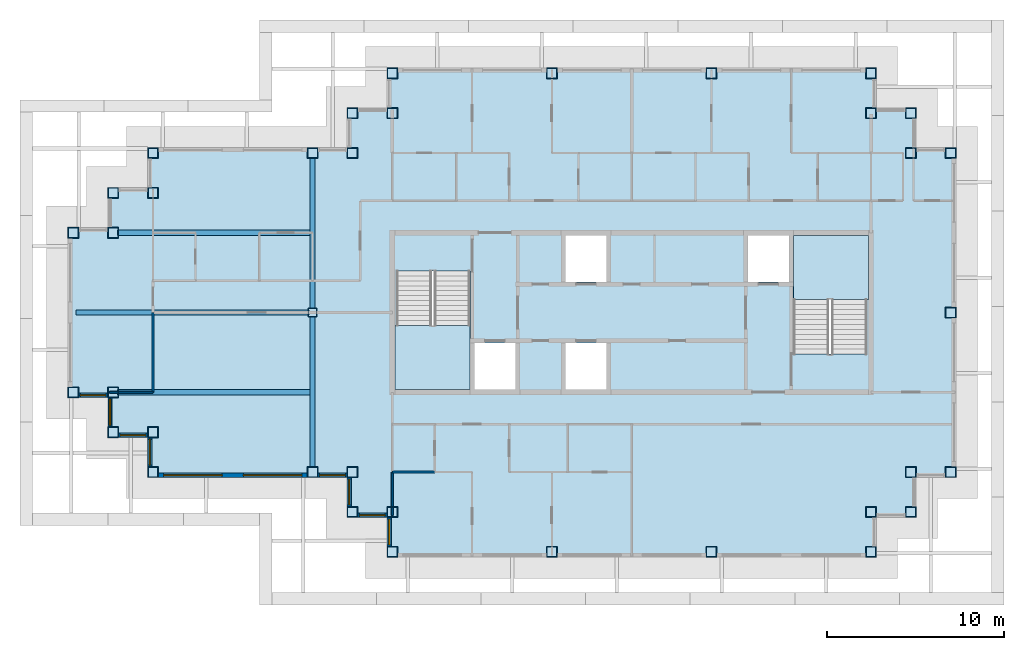
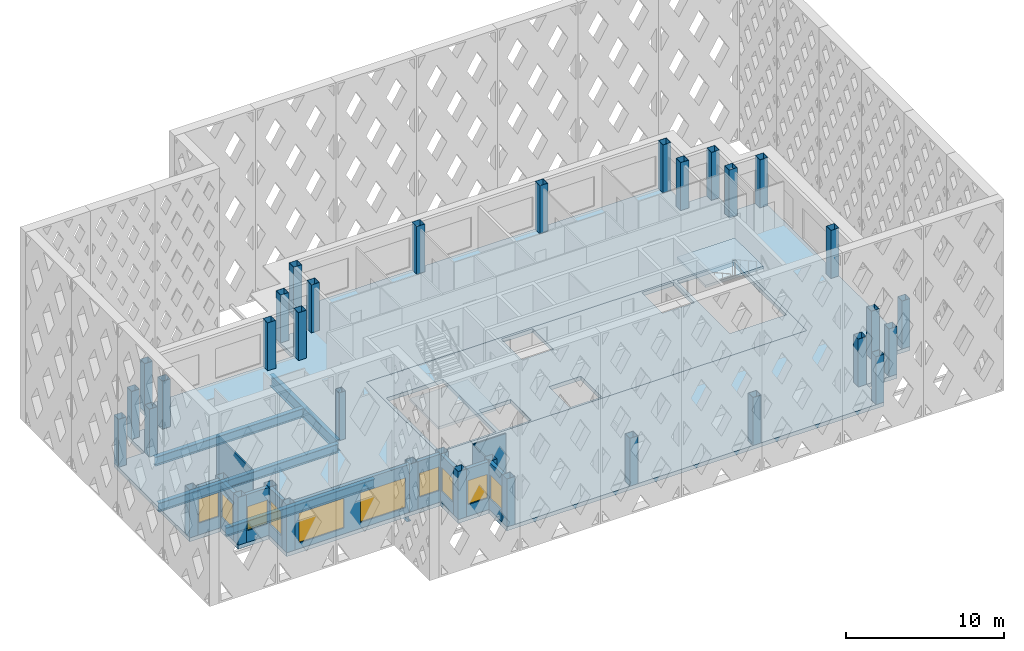
# One storey, part 1 of 15: 36 columns, 13 walls, 10 windows, 5 beams, 4 slabs, 10 openings, 2 elements without a shape of their own.
"""IFC4 building model written with IfcOpenShell, lengths in metres."""

from ifc_helpers import new_model, si_unit, direction, frame, frame_2d, origin, origin_2d, place, context, subcontext, project, spatial, polyline, rectangle, hollow_rectangle, i_section, outline, extrude, material, layer, layer_set, material_profile, profile_set, type_object, element, fill, aggregate, save


model = new_model("IFC4")

# Units and contexts
model_context = context("Model", 3, precision=1e-05, world=origin(), true_north=direction((0.0, 1.0)))
body_context = subcontext(model_context, "Body", "Model", "MODEL_VIEW")
ifc_project = project(units=[si_unit("LENGTHUNIT", "METRE"), si_unit("AREAUNIT", "SQUARE_METRE"), si_unit("VOLUMEUNIT", "CUBIC_METRE"), si_unit("PLANEANGLEUNIT", "RADIAN"), si_unit("MASSUNIT", "GRAM", prefix="KILO")], contexts=[model_context])

# Site, building, storey
site_placement = place(None, origin())
site = spatial("IfcSite", under=ifc_project, at=site_placement, CompositionType="ELEMENT")
building_placement = place(site_placement, origin())
building = spatial("IfcBuilding", under=site, at=building_placement, Name="Caravel Reach Hotel and Residences", CompositionType="ELEMENT")
storey_placement = place(building_placement, frame((0.0, 0.0, 237.89990234375)))
storey = spatial("IfcBuildingStorey", under=building, at=storey_placement, Name="L60", CompositionType="ELEMENT", Elevation=237.89990234375)

# Columns
ifc_material_1 = material(Name="Concrete-filled steel tube Q390B with Concrete C60 infill", Category="concrete")
ifc_material_profile_1 = material_profile(ifc_material_1, hollow_rectangle(XDim=0.5, YDim=0.5, WallThickness=0.01611328125, InnerFilletRadius=0.031982421875, OuterFilletRadius=0.048095703125, at=origin_2d()), Name="RHS 500x500x16")
ifc_profile_set_1 = profile_set([ifc_material_profile_1], Name="Concrete-filled steel tube Q390B with Concrete C60 infill")
column_type_1 = type_object("IfcColumnType", Name="CFT 500x500 Q390B C60", PredefinedType="COLUMN", material=ifc_profile_set_1)
column_placement = place(storey_placement, frame((13.5, 27.0, 0.0), z_axis=(0.0, 0.0, 1.0), x_axis=(1.0, 0.0, 0.0)))
element("IfcColumn", 1, at=column_placement, inside=storey, type_object=column_type_1, Name="C9 column", PredefinedType="COLUMN", context=body_context, shape_type="SweptSolid", body=[
    extrude(hollow_rectangle(XDim=0.5, YDim=0.5, WallThickness=0.01611328125, InnerFilletRadius=0.031982421875, OuterFilletRadius=0.048095703125, at=origin_2d()), origin(), (0.0, 0.0, 1.0), 3.7001953125),
])
ifc_material_2 = material(Name="Concrete-filled steel tube Q390B with Concrete C60 infill", Category="concrete")
ifc_material_profile_2 = material_profile(ifc_material_2, hollow_rectangle(XDim=0.60009765625, YDim=0.60009765625, WallThickness=0.02001953125, at=origin_2d()), Name="RHS 600x600x20")
ifc_profile_set_2 = profile_set([ifc_material_profile_2], Name="Concrete-filled steel tube Q390B with Concrete C60 infill")
column_type_2 = type_object("IfcColumnType", Name="CFT 600x600 Q390B C60", PredefinedType="COLUMN", material=ifc_profile_set_2)
for number, where, z_axis, x_axis, name in (
    (2, (15.75, 18.0, 0.0), (0.0, 0.0, 1.0), (1.0, 0.0, 0.0), "C8 column"),
    (3, (15.75, 15.75, 0.0), (0.0, 0.0, 1.0), (1.0, 0.0, 0.0), "C8 column"),
    (4, (18.0, 15.75, 0.0), (0.0, 0.0, 1.0), (1.0, 0.0, 0.0), "C8 column"),
    (5, (18.0, 13.5, 0.0), (0.0, 0.0, 1.0), (1.0, 0.0, 0.0), "C8 column"),
    (6, (27.0, 13.5, 0.0), (0.0, 0.0, 1.0), (1.0, 0.0, 0.0), "C8 column"),
    (7, (36.0, 13.5, 0.0), (0.0, 0.0, 1.0), (1.0, 0.0, 0.0), "C8 column"),
    (8, (45.0, 13.5, 0.0), (0.0, 0.0, 1.0), (1.0, 0.0, 0.0), "C8 column"),
    (9, (45.0, 15.75, 0.0), (0.0, 0.0, 1.0), (1.0, 0.0, 0.0), "C8 column"),
    (10, (47.25, 15.75, 0.0), (0.0, 0.0, 1.0), (1.0, 0.0, 0.0), "C8 column"),
    (11, (47.25, 18.0, 0.0), (0.0, 0.0, 1.0), (1.0, 0.0, 0.0), "C8 column"),
    (12, (49.5, 18.0, 0.0), (0.0, 0.0, 1.0), (1.0, 0.0, 0.0), "C8 column"),
    (13, (49.5, 27.0, 0.0), (0.0, 0.0, 1.0), (1.0, 0.0, 0.0), "C8 column"),
    (14, (49.5, 36.0, 0.0), (0.0, 0.0, 1.0), (1.0, 0.0, 0.0), "C8 column"),
    (15, (47.25, 36.0, 0.0), (0.0, 0.0, 1.0), (1.0, 0.0, 0.0), "C8 column"),
    (16, (47.25, 38.25, 0.0), (0.0, 0.0, 1.0), (1.0, 0.0, 0.0), "C8 column"),
    (17, (45.0, 38.25, 0.0), (0.0, 0.0, 1.0), (1.0, 0.0, 0.0), "C8 column"),
    (18, (45.0, 40.5, 0.0), (0.0, 0.0, 1.0), (1.0, 0.0, 0.0), "C8 column"),
    (19, (36.0, 40.5, 0.0), (0.0, 0.0, 1.0), (1.0, 0.0, 0.0), "C8 column"),
    (20, (27.0, 40.5, 0.0), (0.0, 0.0, 1.0), (1.0, 0.0, 0.0), "C8 column"),
    (21, (18.0, 40.5, 0.0), (0.0, 0.0, 1.0), (1.0, 0.0, 0.0), "C8 column"),
    (22, (18.0, 38.25, 0.0), (0.0, 0.0, 1.0), (1.0, 0.0, 0.0), "C8 column"),
    (23, (15.75, 38.25, 0.0), (0.0, 0.0, 1.0), (1.0, 0.0, 0.0), "C8 column"),
    (24, (15.75, 36.0, 0.0), (0.0, 0.0, 1.0), (1.0, 0.0, 0.0), "C8 column"),
    (25, (13.5, 36.0, 0.0), (0.0, 0.0, 1.0), (1.0, 0.0, 0.0), "C8 column"),
    (26, (4.5, 36.0, 0.0), (0.0, 0.0, 1.0), (1.0, 0.0, 0.0), "C8 column"),
    (27, (4.5, 33.75, 0.0), (0.0, 0.0, 1.0), (1.0, 0.0, 0.0), "C8 column"),
    (28, (2.25, 33.75, 0.0), (0.0, 0.0, 1.0), (1.0, 0.0, 0.0), "C8 column"),
    (29, (2.25, 31.5, 0.0), (0.0, 0.0, 1.0), (1.0, 0.0, 0.0), "C8 column"),
    (30, (0.0, 31.5, 0.0), (0.0, 0.0, 1.0), (1.0, 0.0, 0.0), "C8 column"),
    (31, (0.0, 22.5, 0.0), (0.0, 0.0, 1.0), (1.0, 0.0, 0.0), "C8 column"),
    (32, (2.25, 22.5, 0.0), (0.0, 0.0, 1.0), (1.0, 0.0, 0.0), "C8 column"),
    (33, (2.25, 20.25, 0.0), (0.0, 0.0, 1.0), (1.0, 0.0, 0.0), "C8 column"),
    (34, (4.5, 20.25, 0.0), (0.0, 0.0, 1.0), (1.0, 0.0, 0.0), "C8 column"),
    (35, (4.5, 18.0, 0.0), (0.0, 0.0, 1.0), (1.0, 0.0, 0.0), "C8 column"),
    (36, (13.5, 18.0, 0.0), (0.0, 0.0, 1.0), (1.0, 0.0, 0.0), "C8 column"),
):
    element("IfcColumn", number, at=place(storey_placement, frame(where, z_axis=z_axis, x_axis=x_axis)), inside=storey, type_object=column_type_2, Name=name, PredefinedType="COLUMN", context=body_context, shape_type="SweptSolid", body=[
        extrude(hollow_rectangle(XDim=0.60009765625, YDim=0.60009765625, WallThickness=0.02001953125, at=origin_2d()), origin(), (0.0, 0.0, 1.0), 3.7001953125),
    ])

# Beams
ifc_material_3 = material(Name="Structural steel Q355B", Category="steel")
ifc_material_profile_3 = material_profile(ifc_material_3, i_section(OverallWidth=0.300048828125, OverallDepth=0.699951171875, WebThickness=0.012939453125, FlangeThickness=0.02392578125, FilletRadius=0.01806640625, at=origin_2d()), Name="HN 700x300x13x24")
ifc_profile_set_3 = profile_set([ifc_material_profile_3], Name="Structural steel Q355B")
beam_type_1 = type_object("IfcBeamType", Name="Beam HN 700x300x13x24", PredefinedType="BEAM", material=ifc_profile_set_3)
beam_1_placement = place(storey_placement, frame((13.35009765625, 22.5, -0.64990234375), z_axis=(-1.0, 0.0, 0.0), x_axis=(0.0, -1.0, 0.0)))
element("IfcBeam", 37, at=beam_1_placement, inside=storey, type_object=beam_type_1, Name="B2 HN 700x300x13x24", PredefinedType="BEAM", context=body_context, shape_type="SweptSolid", body=[
    extrude(i_section(OverallWidth=0.300048828125, OverallDepth=0.699951171875, WebThickness=0.012939453125, FlangeThickness=0.02392578125, FilletRadius=0.01806640625, at=origin_2d()), origin(), (0.0, 0.0, 1.0), 10.85009765625),
])
beam_2_placement = place(storey_placement, frame((13.300048828125, 27.0, -0.64990234375), z_axis=(-1.0, 0.0, 0.0), x_axis=(0.0, -1.0, 0.0)))
element("IfcBeam", 38, at=beam_2_placement, inside=storey, type_object=beam_type_1, Name="B2 HN 700x300x13x24", PredefinedType="BEAM", context=body_context, shape_type="SweptSolid", body=[
    extrude(i_section(OverallWidth=0.300048828125, OverallDepth=0.699951171875, WebThickness=0.012939453125, FlangeThickness=0.02392578125, FilletRadius=0.01806640625, at=origin_2d()), origin(), (0.0, 0.0, 1.0), 13.150146484375),
])
beam_3_placement = place(storey_placement, frame((13.35009765625, 31.5, -0.64990234375), z_axis=(-1.0, 0.0, 0.0), x_axis=(0.0, -1.0, 0.0)))
element("IfcBeam", 39, at=beam_3_placement, inside=storey, type_object=beam_type_1, Name="B2 HN 700x300x13x24", PredefinedType="BEAM", context=body_context, shape_type="SweptSolid", body=[
    extrude(i_section(OverallWidth=0.300048828125, OverallDepth=0.699951171875, WebThickness=0.012939453125, FlangeThickness=0.02392578125, FilletRadius=0.01806640625, at=origin_2d()), origin(), (0.0, 0.0, 1.0), 10.85009765625),
])
ifc_material_4 = material(Name="Structural steel Q355B", Category="steel")
ifc_material_profile_4 = material_profile(ifc_material_4, i_section(OverallWidth=0.300048828125, OverallDepth=0.89990234375, WebThickness=0.01611328125, FlangeThickness=0.028076171875, FilletRadius=0.01806640625, at=origin_2d()), Name="HN 900x300x16x28")
ifc_profile_set_4 = profile_set([ifc_material_profile_4], Name="Structural steel Q355B")
beam_type_2 = type_object("IfcBeamType", Name="Beam HN 900x300x16x28", PredefinedType="BEAM", material=ifc_profile_set_4)
for number, where, z_axis, x_axis, name in (
    (40, (13.5, 18.300048828125, -0.75), (0.0, 1.0, 0.0), (-1.0, 0.0, 0.0), "B3 HN 900x300x16x28"),
    (41, (13.5, 27.25, -0.75), (0.0, 1.0, 0.0), (-1.0, 0.0, 0.0), "B3 HN 900x300x16x28"),
):
    element("IfcBeam", number, at=place(storey_placement, frame(where, z_axis=z_axis, x_axis=x_axis)), inside=storey, type_object=beam_type_2, Name=name, PredefinedType="BEAM", context=body_context, shape_type="SweptSolid", body=[
        extrude(i_section(OverallWidth=0.300048828125, OverallDepth=0.89990234375, WebThickness=0.01611328125, FlangeThickness=0.028076171875, FilletRadius=0.01806640625, at=origin_2d()), origin(), (0.0, 0.0, 1.0), 8.449951171875),
    ])

# Slab
ifc_material_5 = material(Name="Concrete C40", Category="concrete")
ifc_layer_1 = layer(ifc_material_5, 0.300048828125)
ifc_layer_set_1 = layer_set([ifc_layer_1], Name="Core floor slab 300 mm")
slab_type_1 = type_object("IfcSlabType", Name="Core floor slab 300 mm", PredefinedType="FLOOR", material=ifc_layer_set_1)
slab_1_placement = place(storey_placement, frame((0.0, 0.0, -0.2998046875)))
element("IfcSlab", 42, at=slab_1_placement, inside=storey, type_object=slab_type_1, Name="L60 core floor", PredefinedType="FLOOR", context=body_context, shape_type="SweptSolid", body=[
    extrude(outline(polyline([(18.0, 31.5), (45.0, 31.5), (45.0, 22.5), (18.0, 22.5), (18.0, 31.5)]), holes=[polyline([(22.625, 22.64990234375), (24.9462890625, 22.64990234375), (24.9462890625, 25.27490234375), (22.625, 25.27490234375), (22.625, 22.64990234375)]), polyline([(27.767822265625, 25.27490234375), (27.767822265625, 22.64990234375), (30.08935546875, 22.64990234375), (30.08935546875, 25.27490234375), (27.767822265625, 25.27490234375)]), polyline([(22.375, 22.64990234375), (22.375, 29.35009765625), (18.22509765625, 29.35009765625), (18.22509765625, 22.64990234375), (22.375, 22.64990234375)]), polyline([(40.625, 24.64990234375), (44.77490234375, 24.64990234375), (44.77490234375, 31.35009765625), (40.625, 31.35009765625), (40.625, 24.64990234375)]), polyline([(27.767822265625, 31.35009765625), (27.767822265625, 28.72509765625), (30.08935546875, 28.72509765625), (30.08935546875, 31.35009765625), (27.767822265625, 31.35009765625)]), polyline([(38.0537109375, 31.35009765625), (38.0537109375, 28.72509765625), (40.375, 28.72509765625), (40.375, 31.35009765625), (38.0537109375, 31.35009765625)])]), origin(), (0.0, 0.0, 1.0), 0.2998046875),
])

# Stair, slab
ifc_material_6 = material(Name="Concrete C40", Category="concrete")
stair_type = type_object("IfcStairType", Name="Core stair", PredefinedType="HALF_TURN_STAIR", material=ifc_material_6)
stair_1_placement = place(storey_placement, origin())
stair_1 = element("IfcStair", 43, at=stair_1_placement, inside=storey, type_object=stair_type, Name="L60 Exit stair A", PredefinedType="HALF_TURN_STAIR")
ifc_material_7 = material(Name="Concrete C40", Category="concrete")
ifc_layer_2 = layer(ifc_material_7, 0.199951171875)
ifc_layer_set_2 = layer_set([ifc_layer_2], Name="Core stair landing")
slab_type_2 = type_object("IfcSlabType", Name="Core stair landing", PredefinedType="LANDING", material=ifc_layer_set_2)
slab_2_placement = place(storey_placement, frame((0.0, 0.0, 1.650146484375)))
slab_2 = element("IfcSlab", 44, at=slab_2_placement, type_object=slab_type_2, Name="ST-A landing 1", PredefinedType="LANDING", context=body_context, shape_type="SweptSolid", body=[
    extrude(outline(polyline([(18.14990234375, 26.27001953125), (18.14990234375, 22.64990234375), (22.375, 22.64990234375), (22.375, 26.27001953125), (18.14990234375, 26.27001953125)])), origin(), (0.0, 0.0, 1.0), 0.199951171875),
])
aggregate(stair_1, [slab_2])

stair_2_placement = place(storey_placement, origin())
stair_2 = element("IfcStair", 45, at=stair_2_placement, inside=storey, type_object=stair_type, Name="L60 Exit stair B", PredefinedType="HALF_TURN_STAIR")
slab_3_placement = place(storey_placement, frame((0.0, 0.0, 1.650146484375)))
slab_3 = element("IfcSlab", 46, at=slab_3_placement, type_object=slab_type_2, Name="ST-B landing 1", PredefinedType="LANDING", context=body_context, shape_type="SweptSolid", body=[
    extrude(outline(polyline([(44.85009765625, 27.72998046875), (44.85009765625, 31.35009765625), (40.625, 31.35009765625), (40.625, 27.72998046875), (44.85009765625, 27.72998046875)])), origin(), (0.0, 0.0, 1.0), 0.199951171875),
])
aggregate(stair_2, [slab_3])

# Slab
ifc_material_8 = material(Name="Concrete C40 post-tensioned", Category="concrete")
ifc_layer_3 = layer(ifc_material_8, 0.300048828125)
ifc_layer_set_3 = layer_set([ifc_layer_3], Name="Floor slab 300")
slab_type_3 = type_object("IfcSlabType", Name="Floor slab 300", PredefinedType="FLOOR", material=ifc_layer_set_3)
slab_4_placement = place(storey_placement, frame((0.0, 0.0, -0.2998046875)))
element("IfcSlab", 47, at=slab_4_placement, inside=storey, type_object=slab_type_3, Name="S2 slab L60", PredefinedType="FLOOR", context=body_context, shape_type="SweptSolid", body=[
    extrude(outline(polyline([(4.199951171875, 19.949951171875), (1.949951171875, 19.949951171875), (1.949951171875, 22.199951171875), (-0.300048828125, 22.199951171875), (-0.300048828125, 31.800048828125), (1.949951171875, 31.800048828125), (1.949951171875, 34.050048828125), (4.199951171875, 34.050048828125), (4.199951171875, 36.300048828125), (15.449951171875, 36.300048828125), (15.449951171875, 38.550048828125), (17.699951171875, 38.550048828125), (17.699951171875, 40.800048828125), (45.300048828125, 40.800048828125), (45.300048828125, 38.550048828125), (47.550048828125, 38.550048828125), (47.550048828125, 36.300048828125), (49.800048828125, 36.300048828125), (49.800048828125, 17.699951171875), (47.550048828125, 17.699951171875), (47.550048828125, 15.449951171875), (45.300048828125, 15.449951171875), (45.300048828125, 13.199951171875), (17.699951171875, 13.199951171875), (17.699951171875, 15.449951171875), (15.449951171875, 15.449951171875), (15.449951171875, 17.699951171875), (4.199951171875, 17.699951171875), (4.199951171875, 19.949951171875)]), holes=[polyline([(45.0, 31.5), (18.0, 31.5), (18.0, 22.5), (45.0, 22.5), (45.0, 31.5)])]), origin(), (0.0, 0.0, 1.0), 0.2998046875),
])

# Wall
ifc_material_9 = material(Name="Gypsum board on steel stud", Category="steel")
ifc_layer_4 = layer(ifc_material_9, 0.10009765625)
ifc_layer_set_4 = layer_set([ifc_layer_4], Name="Bathroom pod wall 100 mm")
wall_type_1 = type_object("IfcWallType", Name="Bathroom pod wall 100 mm", PredefinedType="PARTITIONING", material=ifc_layer_set_4)
wall_1_placement = place(storey_placement, frame((18.0, 18.0, 0.0), z_axis=(0.0, 0.0, 1.0), x_axis=(1.0, 0.0, 0.0)))
element("IfcWall", 48, at=wall_1_placement, inside=storey, type_object=wall_type_1, Name="L60 wall w051", PredefinedType="PARTITIONING", context=body_context, shape_type="SweptSolid", body=[
    extrude(rectangle(XDim=2.39990234375, YDim=0.10009765625, at=frame_2d((1.199951171875, 0.0))), origin(), (0.0, 0.0, 1.0), 3.400146484375),
])

# Wall, opening, window
ifc_material_10 = material(Name="Insulated rainscreen wall, aluminium cladding", Category="aluminium")
ifc_layer_5 = layer(ifc_material_10, 0.25)
ifc_layer_set_5 = layer_set([ifc_layer_5], Name="EW1 Tower rainscreen wall")
wall_type_2 = type_object("IfcWallType", Name="EW1 Tower rainscreen wall", PredefinedType="SOLIDWALL", material=ifc_layer_set_5)
wall_2_placement = place(storey_placement, frame((15.574951171875, 17.699951171875, 0.0), z_axis=(0.0, 0.0, 1.0), x_axis=(0.0, -1.0, 0.0)))
wall_2 = element("IfcWall", 49, at=wall_2_placement, inside=storey, type_object=wall_type_2, Name="External wall L60 W1.1", PredefinedType="SOLIDWALL", context=body_context, shape_type="SweptSolid", body=[
    extrude(rectangle(XDim=1.64990234375, YDim=0.25, at=frame_2d((0.824951171875, 0.0))), origin(), (0.0, 0.0, 1.0), 3.7001953125),
])
opening_1_placement = place(wall_2_placement, frame((0.10009765625, 0.0, 0.89990234375)))
opening_1 = element("IfcOpeningElement", 50, at=opening_1_placement, cuts=wall_2, Name="Opening WN25", PredefinedType="OPENING", context=body_context, shape_type="SweptSolid", body=[
    extrude(rectangle(XDim=1.449951171875, YDim=1.85009765625, at=frame_2d((0.72509765625, 0.925048828125))), frame((0.0, 0.135009765625, 0.0), z_axis=(0.0, -1.0, 0.0), x_axis=(1.0, 0.0, 0.0)), (0.0, 0.0, 1.0), 0.27001953125),
])
ifc_material_11 = material(Name="Dark low-e glazing in black aluminium frame", Category="aluminium")
window_type_1 = type_object("IfcWindowType", Name="Residence bedroom window 1450 x 1850", PartitioningType="SINGLE_PANEL", PredefinedType="WINDOW", material=ifc_material_11)
window_1_placement = place(opening_1_placement, origin())
window_1 = element("IfcWindow", 51, at=window_1_placement, inside=storey, type_object=window_type_1, Name="Window L60 W1.1.1", OverallHeight=1.85009765625, OverallWidth=1.449951171875, PartitioningType="SINGLE_PANEL", PredefinedType="WINDOW", context=body_context, shape_type="SweptSolid", body=[
    extrude(rectangle(XDim=1.449951171875, YDim=1.85009765625, at=frame_2d((0.72509765625, 0.925048828125))), frame((0.0, 0.030029296875, 0.0), z_axis=(0.0, -1.0, 0.0), x_axis=(1.0, 0.0, 0.0)), (0.0, 0.0, 1.0), 0.06005859375),
])
fill(opening_1, window_1)

wall_3_placement = place(storey_placement, frame((16.050048828125, 15.574951171875, 0.0), z_axis=(0.0, 0.0, 1.0), x_axis=(1.0, 0.0, 0.0)))
wall_3 = element("IfcWall", 52, at=wall_3_placement, inside=storey, type_object=wall_type_2, Name="External wall L60 S2.1", PredefinedType="SOLIDWALL", context=body_context, shape_type="SweptSolid", body=[
    extrude(rectangle(XDim=1.64990234375, YDim=0.25, at=frame_2d((0.824951171875, 0.0))), origin(), (0.0, 0.0, 1.0), 3.7001953125),
])
opening_2_placement = place(wall_3_placement, frame((0.10009765625, 0.0, 0.89990234375)))
opening_2 = element("IfcOpeningElement", 53, at=opening_2_placement, cuts=wall_3, Name="Opening WN25", PredefinedType="OPENING", context=body_context, shape_type="SweptSolid", body=[
    extrude(rectangle(XDim=1.449951171875, YDim=1.85009765625, at=frame_2d((0.72509765625, 0.925048828125))), frame((0.0, 0.135009765625, 0.0), z_axis=(0.0, -1.0, 0.0), x_axis=(1.0, 0.0, 0.0)), (0.0, 0.0, 1.0), 0.27001953125),
])
window_2_placement = place(opening_2_placement, origin())
window_2 = element("IfcWindow", 54, at=window_2_placement, inside=storey, type_object=window_type_1, Name="Window L60 S2.1.1", OverallHeight=1.85009765625, OverallWidth=1.449951171875, PartitioningType="SINGLE_PANEL", PredefinedType="WINDOW", context=body_context, shape_type="SweptSolid", body=[
    extrude(rectangle(XDim=1.449951171875, YDim=1.85009765625, at=frame_2d((0.72509765625, 0.925048828125))), frame((0.0, 0.030029296875, 0.0), z_axis=(0.0, -1.0, 0.0), x_axis=(1.0, 0.0, 0.0)), (0.0, 0.0, 1.0), 0.06005859375),
])
fill(opening_2, window_2)

wall_4_placement = place(storey_placement, frame((17.824951171875, 15.449951171875, 0.0), z_axis=(0.0, 0.0, 1.0), x_axis=(0.0, -1.0, 0.0)))
wall_4 = element("IfcWall", 55, at=wall_4_placement, inside=storey, type_object=wall_type_2, Name="External wall L60 W3.1", PredefinedType="SOLIDWALL", context=body_context, shape_type="SweptSolid", body=[
    extrude(rectangle(XDim=1.64990234375, YDim=0.25, at=frame_2d((0.824951171875, 0.0))), origin(), (0.0, 0.0, 1.0), 3.7001953125),
])
opening_3_placement = place(wall_4_placement, frame((0.10009765625, 0.0, 0.89990234375)))
opening_3 = element("IfcOpeningElement", 56, at=opening_3_placement, cuts=wall_4, Name="Opening WN25", PredefinedType="OPENING", context=body_context, shape_type="SweptSolid", body=[
    extrude(rectangle(XDim=1.449951171875, YDim=1.85009765625, at=frame_2d((0.72509765625, 0.925048828125))), frame((0.0, 0.135009765625, 0.0), z_axis=(0.0, -1.0, 0.0), x_axis=(1.0, 0.0, 0.0)), (0.0, 0.0, 1.0), 0.27001953125),
])
window_3_placement = place(opening_3_placement, origin())
window_3 = element("IfcWindow", 57, at=window_3_placement, inside=storey, type_object=window_type_1, Name="Window L60 W3.1.1", OverallHeight=1.85009765625, OverallWidth=1.449951171875, PartitioningType="SINGLE_PANEL", PredefinedType="WINDOW", context=body_context, shape_type="SweptSolid", body=[
    extrude(rectangle(XDim=1.449951171875, YDim=1.85009765625, at=frame_2d((0.72509765625, 0.925048828125))), frame((0.0, 0.030029296875, 0.0), z_axis=(0.0, -1.0, 0.0), x_axis=(1.0, 0.0, 0.0)), (0.0, 0.0, 1.0), 0.06005859375),
])
fill(opening_3, window_3)

wall_5_placement = place(storey_placement, frame((0.300048828125, 22.324951171875, 0.0), z_axis=(0.0, 0.0, 1.0), x_axis=(1.0, 0.0, 0.0)))
wall_5 = element("IfcWall", 58, at=wall_5_placement, inside=storey, type_object=wall_type_2, Name="External wall L60 S24.1", PredefinedType="SOLIDWALL", context=body_context, shape_type="SweptSolid", body=[
    extrude(rectangle(XDim=1.64990234375, YDim=0.25, at=frame_2d((0.824951171875, 0.0))), origin(), (0.0, 0.0, 1.0), 3.7001953125),
])
opening_4_placement = place(wall_5_placement, frame((0.10009765625, 0.0, 0.89990234375)))
opening_4 = element("IfcOpeningElement", 59, at=opening_4_placement, cuts=wall_5, Name="Opening WN25", PredefinedType="OPENING", context=body_context, shape_type="SweptSolid", body=[
    extrude(rectangle(XDim=1.449951171875, YDim=1.85009765625, at=frame_2d((0.72509765625, 0.925048828125))), frame((0.0, 0.135009765625, 0.0), z_axis=(0.0, -1.0, 0.0), x_axis=(1.0, 0.0, 0.0)), (0.0, 0.0, 1.0), 0.27001953125),
])
window_4_placement = place(opening_4_placement, origin())
window_4 = element("IfcWindow", 60, at=window_4_placement, inside=storey, type_object=window_type_1, Name="Window L60 S24.1.1", OverallHeight=1.85009765625, OverallWidth=1.449951171875, PartitioningType="SINGLE_PANEL", PredefinedType="WINDOW", context=body_context, shape_type="SweptSolid", body=[
    extrude(rectangle(XDim=1.449951171875, YDim=1.85009765625, at=frame_2d((0.72509765625, 0.925048828125))), frame((0.0, 0.030029296875, 0.0), z_axis=(0.0, -1.0, 0.0), x_axis=(1.0, 0.0, 0.0)), (0.0, 0.0, 1.0), 0.06005859375),
])
fill(opening_4, window_4)

wall_6_placement = place(storey_placement, frame((2.074951171875, 22.199951171875, 0.0), z_axis=(0.0, 0.0, 1.0), x_axis=(0.0, -1.0, 0.0)))
wall_6 = element("IfcWall", 61, at=wall_6_placement, inside=storey, type_object=wall_type_2, Name="External wall L60 W25.1", PredefinedType="SOLIDWALL", context=body_context, shape_type="SweptSolid", body=[
    extrude(rectangle(XDim=1.64990234375, YDim=0.25, at=frame_2d((0.824951171875, 0.0))), origin(), (0.0, 0.0, 1.0), 3.7001953125),
])
opening_5_placement = place(wall_6_placement, frame((0.10009765625, 0.0, 0.89990234375)))
opening_5 = element("IfcOpeningElement", 62, at=opening_5_placement, cuts=wall_6, Name="Opening WN25", PredefinedType="OPENING", context=body_context, shape_type="SweptSolid", body=[
    extrude(rectangle(XDim=1.449951171875, YDim=1.85009765625, at=frame_2d((0.72509765625, 0.925048828125))), frame((0.0, 0.135009765625, 0.0), z_axis=(0.0, -1.0, 0.0), x_axis=(1.0, 0.0, 0.0)), (0.0, 0.0, 1.0), 0.27001953125),
])
window_5_placement = place(opening_5_placement, origin())
window_5 = element("IfcWindow", 63, at=window_5_placement, inside=storey, type_object=window_type_1, Name="Window L60 W25.1.1", OverallHeight=1.85009765625, OverallWidth=1.449951171875, PartitioningType="SINGLE_PANEL", PredefinedType="WINDOW", context=body_context, shape_type="SweptSolid", body=[
    extrude(rectangle(XDim=1.449951171875, YDim=1.85009765625, at=frame_2d((0.72509765625, 0.925048828125))), frame((0.0, 0.030029296875, 0.0), z_axis=(0.0, -1.0, 0.0), x_axis=(1.0, 0.0, 0.0)), (0.0, 0.0, 1.0), 0.06005859375),
])
fill(opening_5, window_5)

wall_7_placement = place(storey_placement, frame((2.550048828125, 20.074951171875, 0.0), z_axis=(0.0, 0.0, 1.0), x_axis=(1.0, 0.0, 0.0)))
wall_7 = element("IfcWall", 64, at=wall_7_placement, inside=storey, type_object=wall_type_2, Name="External wall L60 S26.1", PredefinedType="SOLIDWALL", context=body_context, shape_type="SweptSolid", body=[
    extrude(rectangle(XDim=1.64990234375, YDim=0.25, at=frame_2d((0.824951171875, 0.0))), origin(), (0.0, 0.0, 1.0), 3.7001953125),
])
opening_6_placement = place(wall_7_placement, frame((0.10009765625, 0.0, 0.89990234375)))
opening_6 = element("IfcOpeningElement", 65, at=opening_6_placement, cuts=wall_7, Name="Opening WN25", PredefinedType="OPENING", context=body_context, shape_type="SweptSolid", body=[
    extrude(rectangle(XDim=1.449951171875, YDim=1.85009765625, at=frame_2d((0.72509765625, 0.925048828125))), frame((0.0, 0.135009765625, 0.0), z_axis=(0.0, -1.0, 0.0), x_axis=(1.0, 0.0, 0.0)), (0.0, 0.0, 1.0), 0.27001953125),
])
window_6_placement = place(opening_6_placement, origin())
window_6 = element("IfcWindow", 66, at=window_6_placement, inside=storey, type_object=window_type_1, Name="Window L60 S26.1.1", OverallHeight=1.85009765625, OverallWidth=1.449951171875, PartitioningType="SINGLE_PANEL", PredefinedType="WINDOW", context=body_context, shape_type="SweptSolid", body=[
    extrude(rectangle(XDim=1.449951171875, YDim=1.85009765625, at=frame_2d((0.72509765625, 0.925048828125))), frame((0.0, 0.030029296875, 0.0), z_axis=(0.0, -1.0, 0.0), x_axis=(1.0, 0.0, 0.0)), (0.0, 0.0, 1.0), 0.06005859375),
])
fill(opening_6, window_6)

wall_8_placement = place(storey_placement, frame((4.324951171875, 19.949951171875, 0.0), z_axis=(0.0, 0.0, 1.0), x_axis=(0.0, -1.0, 0.0)))
wall_8 = element("IfcWall", 67, at=wall_8_placement, inside=storey, type_object=wall_type_2, Name="External wall L60 W27.1", PredefinedType="SOLIDWALL", context=body_context, shape_type="SweptSolid", body=[
    extrude(rectangle(XDim=1.64990234375, YDim=0.25, at=frame_2d((0.824951171875, 0.0))), origin(), (0.0, 0.0, 1.0), 3.7001953125),
])
opening_7_placement = place(wall_8_placement, frame((0.10009765625, 0.0, 0.89990234375)))
opening_7 = element("IfcOpeningElement", 68, at=opening_7_placement, cuts=wall_8, Name="Opening WN25", PredefinedType="OPENING", context=body_context, shape_type="SweptSolid", body=[
    extrude(rectangle(XDim=1.449951171875, YDim=1.85009765625, at=frame_2d((0.72509765625, 0.925048828125))), frame((0.0, 0.135009765625, 0.0), z_axis=(0.0, -1.0, 0.0), x_axis=(1.0, 0.0, 0.0)), (0.0, 0.0, 1.0), 0.27001953125),
])
window_7_placement = place(opening_7_placement, origin())
window_7 = element("IfcWindow", 69, at=window_7_placement, inside=storey, type_object=window_type_1, Name="Window L60 W27.1.1", OverallHeight=1.85009765625, OverallWidth=1.449951171875, PartitioningType="SINGLE_PANEL", PredefinedType="WINDOW", context=body_context, shape_type="SweptSolid", body=[
    extrude(rectangle(XDim=1.449951171875, YDim=1.85009765625, at=frame_2d((0.72509765625, 0.925048828125))), frame((0.0, 0.030029296875, 0.0), z_axis=(0.0, -1.0, 0.0), x_axis=(1.0, 0.0, 0.0)), (0.0, 0.0, 1.0), 0.06005859375),
])
fill(opening_7, window_7)

# Wall, openings, windows
wall_9_placement = place(storey_placement, frame((4.800048828125, 17.824951171875, 0.0), z_axis=(0.0, 0.0, 1.0), x_axis=(1.0, 0.0, 0.0)))
wall_9 = element("IfcWall", 70, at=wall_9_placement, inside=storey, type_object=wall_type_2, Name="External wall L60 S28.1", PredefinedType="SOLIDWALL", context=body_context, shape_type="SweptSolid", body=[
    extrude(rectangle(XDim=8.39990234375, YDim=0.25, at=frame_2d((4.199951171875, 0.0))), origin(), (0.0, 0.0, 1.0), 3.7001953125),
])
opening_8_placement = place(wall_9_placement, frame((0.300048828125, 0.0, 0.449951171875)))
opening_8 = element("IfcOpeningElement", 71, at=opening_8_placement, cuts=wall_9, Name="Opening WN15", PredefinedType="OPENING", context=body_context, shape_type="SweptSolid", body=[
    extrude(rectangle(XDim=3.300048828125, YDim=2.300048828125, at=frame_2d((1.64990234375, 1.14990234375))), frame((0.0, 0.135009765625, 0.0), z_axis=(0.0, -1.0, 0.0), x_axis=(1.0, 0.0, 0.0)), (0.0, 0.0, 1.0), 0.27001953125),
])
opening_9_placement = place(wall_9_placement, frame((4.800048828125, 0.0, 0.449951171875)))
opening_9 = element("IfcOpeningElement", 72, at=opening_9_placement, cuts=wall_9, Name="Opening WN15", PredefinedType="OPENING", context=body_context, shape_type="SweptSolid", body=[
    extrude(rectangle(XDim=3.300048828125, YDim=2.300048828125, at=frame_2d((1.64990234375, 1.14990234375))), frame((0.0, 0.135009765625, 0.0), z_axis=(0.0, -1.0, 0.0), x_axis=(1.0, 0.0, 0.0)), (0.0, 0.0, 1.0), 0.27001953125),
])
ifc_material_12 = material(Name="Dark low-e glazing in black aluminium frame", Category="aluminium")
window_type_2 = type_object("IfcWindowType", Name="Residence living window 3300 x 2300", PartitioningType="SINGLE_PANEL", PredefinedType="WINDOW", material=ifc_material_12)
window_8_placement = place(opening_8_placement, origin())
window_8 = element("IfcWindow", 73, at=window_8_placement, inside=storey, type_object=window_type_2, Name="Window L60 S28.1.1", OverallHeight=2.300048828125, OverallWidth=3.300048828125, PartitioningType="SINGLE_PANEL", PredefinedType="WINDOW", context=body_context, shape_type="SweptSolid", body=[
    extrude(rectangle(XDim=3.300048828125, YDim=2.300048828125, at=frame_2d((1.64990234375, 1.14990234375))), frame((0.0, 0.030029296875, 0.0), z_axis=(0.0, -1.0, 0.0), x_axis=(1.0, 0.0, 0.0)), (0.0, 0.0, 1.0), 0.06005859375),
])
fill(opening_8, window_8)
window_9_placement = place(opening_9_placement, origin())
window_9 = element("IfcWindow", 74, at=window_9_placement, inside=storey, type_object=window_type_2, Name="Window L60 S28.1.2", OverallHeight=2.300048828125, OverallWidth=3.300048828125, PartitioningType="SINGLE_PANEL", PredefinedType="WINDOW", context=body_context, shape_type="SweptSolid", body=[
    extrude(rectangle(XDim=3.300048828125, YDim=2.300048828125, at=frame_2d((1.64990234375, 1.14990234375))), frame((0.0, 0.030029296875, 0.0), z_axis=(0.0, -1.0, 0.0), x_axis=(1.0, 0.0, 0.0)), (0.0, 0.0, 1.0), 0.06005859375),
])
fill(opening_9, window_9)

# Wall, opening, window
wall_10_placement = place(storey_placement, frame((13.800048828125, 17.824951171875, 0.0), z_axis=(0.0, 0.0, 1.0), x_axis=(1.0, 0.0, 0.0)))
wall_10 = element("IfcWall", 75, at=wall_10_placement, inside=storey, type_object=wall_type_2, Name="External wall L60 S28.2", PredefinedType="SOLIDWALL", context=body_context, shape_type="SweptSolid", body=[
    extrude(rectangle(XDim=1.64990234375, YDim=0.25, at=frame_2d((0.824951171875, 0.0))), origin(), (0.0, 0.0, 1.0), 3.7001953125),
])
opening_10_placement = place(wall_10_placement, frame((0.10009765625, 0.0, 0.89990234375)))
opening_10 = element("IfcOpeningElement", 76, at=opening_10_placement, cuts=wall_10, Name="Opening WN25", PredefinedType="OPENING", context=body_context, shape_type="SweptSolid", body=[
    extrude(rectangle(XDim=1.449951171875, YDim=1.85009765625, at=frame_2d((0.72509765625, 0.925048828125))), frame((0.0, 0.135009765625, 0.0), z_axis=(0.0, -1.0, 0.0), x_axis=(1.0, 0.0, 0.0)), (0.0, 0.0, 1.0), 0.27001953125),
])
window_10_placement = place(opening_10_placement, origin())
window_10 = element("IfcWindow", 77, at=window_10_placement, inside=storey, type_object=window_type_1, Name="Window L60 S28.2.1", OverallHeight=1.85009765625, OverallWidth=1.449951171875, PartitioningType="SINGLE_PANEL", PredefinedType="WINDOW", context=body_context, shape_type="SweptSolid", body=[
    extrude(rectangle(XDim=1.449951171875, YDim=1.85009765625, at=frame_2d((0.72509765625, 0.925048828125))), frame((0.0, 0.030029296875, 0.0), z_axis=(0.0, -1.0, 0.0), x_axis=(1.0, 0.0, 0.0)), (0.0, 0.0, 1.0), 0.06005859375),
])
fill(opening_10, window_10)

# Walls
ifc_material_13 = material(Name="Gypsum board on steel stud", Category="steel")
ifc_layer_6 = layer(ifc_material_13, 0.10009765625)
ifc_layer_set_6 = layer_set([ifc_layer_6], Name="Partition 100 mm")
wall_type_3 = type_object("IfcWallType", Name="Partition 100 mm", PredefinedType="PARTITIONING", material=ifc_layer_set_6)
wall_11_placement = place(storey_placement, frame((2.06005859375, 22.5, 0.0), z_axis=(0.0, 0.0, 1.0), x_axis=(1.0, 0.0, 0.0)))
element("IfcWall", 78, at=wall_11_placement, inside=storey, type_object=wall_type_3, Name="L60 wall w022", PredefinedType="PARTITIONING", context=body_context, shape_type="SweptSolid", body=[
    extrude(rectangle(XDim=2.43896484375, YDim=0.10009765625, at=frame_2d((1.219482421875, 0.0))), origin(), (0.0, 0.0, 1.0), 2.68017578125),
])
wall_12_placement = place(storey_placement, frame((18.0, 15.56005859375, 0.0), z_axis=(0.0, 0.0, 1.0), x_axis=(0.0, 1.0, 0.0)))
element("IfcWall", 79, at=wall_12_placement, inside=storey, type_object=wall_type_3, Name="L60 wall w034", PredefinedType="PARTITIONING", context=body_context, shape_type="SweptSolid", body=[
    extrude(rectangle(XDim=2.43896484375, YDim=0.10009765625, at=frame_2d((1.219482421875, 0.0))), origin(), (0.0, 0.0, 1.0), 3.400146484375),
])
wall_13_placement = place(storey_placement, frame((4.5, 22.5, 0.0), z_axis=(0.0, 0.0, 1.0), x_axis=(0.0, 1.0, 0.0)))
element("IfcWall", 80, at=wall_13_placement, inside=storey, type_object=wall_type_3, Name="L60 wall w045", PredefinedType="PARTITIONING", context=body_context, shape_type="SweptSolid", body=[
    extrude(rectangle(XDim=4.5, YDim=0.10009765625, at=frame_2d((2.25, 0.0))), origin(), (0.0, 0.0, 1.0), 3.400146484375),
])

save(model, "model.ifc")
